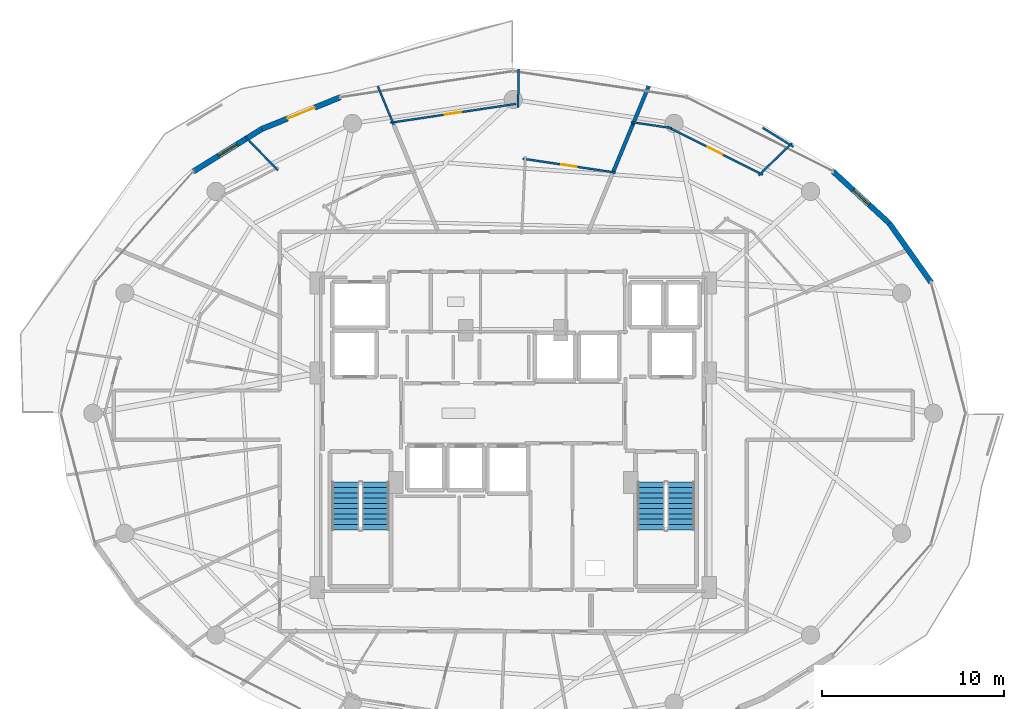
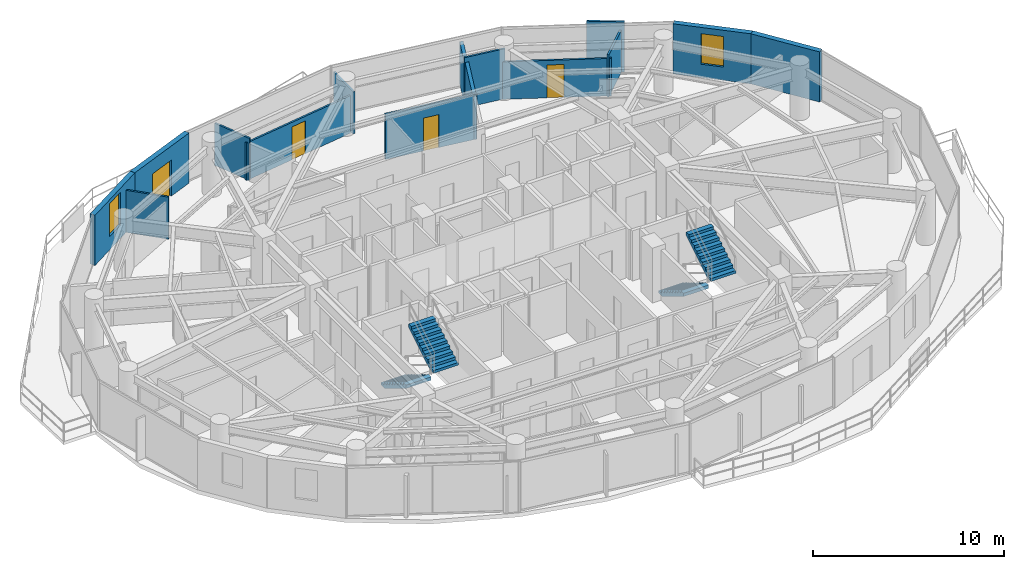
# One storey, part 25 of 29: 15 walls, 4 doors, 4 stair flights, 2 windows, 6 openings, 2 elements without a shape of their own.
"""IFC4 building model written with IfcOpenShell, lengths in metres."""

from ifc_helpers import new_model, si_unit, direction, frame, frame_2d, origin, place, context, subcontext, project, spatial, polyline, rectangle, outline, extrude, material, layer, layer_set, type_object, element, fill, aggregate, save


model = new_model("IFC4")

# Units and contexts
model_context = context("Model", 3, precision=1e-05, world=origin(), true_north=direction((0.0, 1.0)))
body_context = subcontext(model_context, "Body", "Model", "MODEL_VIEW")
ifc_project = project(units=[si_unit("LENGTHUNIT", "METRE"), si_unit("AREAUNIT", "SQUARE_METRE"), si_unit("VOLUMEUNIT", "CUBIC_METRE"), si_unit("PLANEANGLEUNIT", "RADIAN"), si_unit("MASSUNIT", "GRAM", prefix="KILO")], contexts=[model_context])

# Site, building, storey
site_placement = place(None, origin())
site = spatial("IfcSite", under=ifc_project, at=site_placement, CompositionType="ELEMENT")
building_placement = place(site_placement, origin())
building = spatial("IfcBuilding", under=site, at=building_placement, Name="Vorneva Point Tower", CompositionType="ELEMENT")
storey_placement = place(building_placement, frame((0.0, 0.0, 171.10009765625)))
storey = spatial("IfcBuildingStorey", under=building, at=storey_placement, Name="L46", CompositionType="ELEMENT", Elevation=171.10009765625)

# Wall
ifc_material_1 = material(Name="Precast concrete B50 (C40/50)", Category="concrete")
ifc_layer_1 = layer(ifc_material_1, 0.300048828125)
ifc_layer_set_1 = layer_set([ifc_layer_1], Name="Precast concrete B50 (C40/50)")
wall_type_1 = type_object("IfcWallType", Name="WL-EXT-300", PredefinedType="STANDARD", material=ifc_layer_set_1)
wall_1_placement = place(storey_placement, frame((60.912109375, 33.17529296875, 0.0), z_axis=(0.0, 0.0, 1.0), x_axis=(-0.577269753207, 0.816553508371, 0.0)))
element("IfcWall", 1, at=wall_1_placement, inside=storey, type_object=wall_type_1, Name="L46 Pale-Metal Facade Spandrel Wall 02.1", PredefinedType="STANDARD", context=body_context, shape_type="SweptSolid", body=[
    extrude(rectangle(XDim=3.969970703125, YDim=0.300048828125, at=frame_2d((1.98486328125, 0.0))), origin(), (0.0, 0.0, 1.0), 3.199951171875),
])

# Wall, opening, window
wall_2_placement = place(storey_placement, frame((58.620361328125, 36.4169921875, 0.0), z_axis=(0.0, 0.0, 1.0), x_axis=(-0.735477154165, 0.677549522693, 0.0)))
wall_2 = element("IfcWall", 2, at=wall_2_placement, inside=storey, type_object=wall_type_1, Name="L46 Pale-Metal Facade Spandrel Wall 02.2", PredefinedType="STANDARD", context=body_context, shape_type="SweptSolid", body=[
    extrude(rectangle(XDim=4.193603515625, YDim=0.300048828125, at=frame_2d((2.0966796875, 0.0))), origin(), (0.0, 0.0, 1.0), 3.199951171875),
])
opening_1_placement = place(wall_2_placement, frame((1.496826171875, 0.0, 0.85009765625)))
opening_1 = element("IfcOpeningElement", 3, at=opening_1_placement, cuts=wall_2, Name="Opening W-04", PredefinedType="OPENING", context=body_context, shape_type="SweptSolid", body=[
    extrude(rectangle(XDim=1.199951171875, YDim=1.949951171875, at=frame_2d((0.60009765625, 0.97509765625))), frame((0.0, 0.1650390625, 0.0), z_axis=(0.0, -1.0, 0.0), x_axis=(1.0, 0.0, 0.0)), (0.0, 0.0, 1.0), 0.329833984375),
])
ifc_material_2 = material(Name="Double low-e laminated glass IGU", Category="glass")
window_type = type_object("IfcWindowType", Name="WN-RES-1200", PartitioningType="SINGLE_PANEL", PredefinedType="WINDOW", material=ifc_material_2)
window_1_placement = place(opening_1_placement, origin())
window_1 = element("IfcWindow", 4, at=window_1_placement, inside=storey, type_object=window_type, Name="L46 Dwelling Vision Window 01", OverallHeight=1.949951171875, OverallWidth=1.199951171875, PartitioningType="SINGLE_PANEL", PredefinedType="WINDOW", context=body_context, shape_type="SweptSolid", body=[
    extrude(rectangle(XDim=1.199951171875, YDim=1.949951171875, at=frame_2d((0.60009765625, 0.97509765625))), frame((0.0, 0.030029296875, 0.0), z_axis=(0.0, -1.0, 0.0), x_axis=(1.0, 0.0, 0.0)), (0.0, 0.0, 1.0), 0.06005859375),
])
fill(opening_1, window_1)

# Wall, opening, door
wall_3_placement = place(storey_placement, frame((28.509521484375, 43.32275390625, 0.0), z_axis=(0.0, 0.0, 1.0), x_axis=(-0.927156504392, -0.374674280359, 0.0)))
wall_3 = element("IfcWall", 5, at=wall_3_placement, inside=storey, type_object=wall_type_1, Name="L46 Pale-Metal Facade Spandrel Wall 06.1", PredefinedType="STANDARD", context=body_context, shape_type="SweptSolid", body=[
    extrude(rectangle(XDim=4.62451171875, YDim=0.300048828125, at=frame_2d((2.312255859375, 0.0))), origin(), (0.0, 0.0, 1.0), 3.199951171875),
])
opening_2_placement = place(wall_3_placement, frame((1.51220703125, 0.0, 0.0)))
opening_2 = element("IfcOpeningElement", 6, at=opening_2_placement, cuts=wall_3, Name="Opening BD-01", PredefinedType="OPENING", context=body_context, shape_type="SweptSolid", body=[
    extrude(rectangle(XDim=1.60009765625, YDim=2.300048828125, at=frame_2d((0.800048828125, 1.14990234375))), frame((0.0, 0.1650390625, 0.0), z_axis=(0.0, -1.0, 0.0), x_axis=(1.0, 0.0, 0.0)), (0.0, 0.0, 1.0), 0.329833984375),
])
ifc_material_3 = material(Name="Pale anodised aluminium", Category="aluminium")
door_type_1 = type_object("IfcDoorType", Name="DR-BAL-1600", OperationType="SLIDING_TO_LEFT", PredefinedType="DOOR", material=ifc_material_3)
door_1_placement = place(opening_2_placement, origin())
door_1 = element("IfcDoor", 7, at=door_1_placement, inside=storey, type_object=door_type_1, Name="L46 Balcony Terrace Access Door 06", OperationType="SLIDING_TO_LEFT", OverallHeight=2.300048828125, OverallWidth=1.60009765625, PredefinedType="DOOR", context=body_context, shape_type="SweptSolid", body=[
    extrude(rectangle(XDim=1.60009765625, YDim=2.300048828125, at=frame_2d((0.800048828125, 1.14990234375))), frame((0.0, 0.02490234375, 0.0), z_axis=(0.0, -1.0, 0.0), x_axis=(1.0, 0.0, 0.0)), (0.0, 0.0, 1.0), 0.050048828125),
])
fill(opening_2, door_1)

# Wall, opening, window
wall_4_placement = place(storey_placement, frame((24.221923828125, 41.590087890625, 0.0), z_axis=(0.0, 0.0, 1.0), x_axis=(-0.849721181976, -0.527232313977, 0.0)))
wall_4 = element("IfcWall", 8, at=wall_4_placement, inside=storey, type_object=wall_type_1, Name="L46 Pale-Metal Facade Spandrel Wall 06.2", PredefinedType="STANDARD", context=body_context, shape_type="SweptSolid", body=[
    extrude(rectangle(XDim=4.422607421875, YDim=0.300048828125, at=frame_2d((2.21142578125, 0.0))), origin(), (0.0, 0.0, 1.0), 3.199951171875),
])
opening_3_placement = place(wall_4_placement, frame((1.611328125, 0.0, 0.85009765625)))
opening_3 = element("IfcOpeningElement", 9, at=opening_3_placement, cuts=wall_4, Name="Opening W-04", PredefinedType="OPENING", context=body_context, shape_type="SweptSolid", body=[
    extrude(rectangle(XDim=1.199951171875, YDim=2.10009765625, at=frame_2d((0.60009765625, 1.050048828125))), frame((0.0, 0.1650390625, 0.0), z_axis=(0.0, -1.0, 0.0), x_axis=(1.0, 0.0, 0.0)), (0.0, 0.0, 1.0), 0.329833984375),
])
window_2_placement = place(opening_3_placement, origin())
window_2 = element("IfcWindow", 10, at=window_2_placement, inside=storey, type_object=window_type, Name="L46 Facade Window 06", OverallHeight=2.10009765625, OverallWidth=1.199951171875, PartitioningType="SINGLE_PANEL", PredefinedType="WINDOW", context=body_context, shape_type="SweptSolid", body=[
    extrude(rectangle(XDim=1.199951171875, YDim=2.10009765625, at=frame_2d((0.60009765625, 1.050048828125))), frame((0.0, 0.030029296875, 0.0), z_axis=(0.0, -1.0, 0.0), x_axis=(1.0, 0.0, 0.0)), (0.0, 0.0, 1.0), 0.06005859375),
])
fill(opening_3, window_2)

# Wall
ifc_material_4 = material(Name="Fire-rated acoustic gypsum stud partition", Category="gypsum")
ifc_layer_2 = layer(ifc_material_4, 0.110107421875)
ifc_layer_set_2 = layer_set([ifc_layer_2], Name="Fire-rated acoustic gypsum stud partition")
wall_type_2 = type_object("IfcWallType", Name="WL-PART-110", PredefinedType="PARTITIONING", material=ifc_layer_set_2)
wall_5_placement = place(storey_placement, frame((53.28564453125, 40.8125, 0.0), z_axis=(0.0, 0.0, 1.0), x_axis=(-0.718256654627, -0.69577825353, 0.0)))
element("IfcWall", 11, at=wall_5_placement, inside=storey, type_object=wall_type_2, Name="L46 Interior Partition 062", PredefinedType="PARTITIONING", context=body_context, shape_type="SweptSolid", body=[
    extrude(rectangle(XDim=2.55224609375, YDim=0.110107421875, at=frame_2d((1.276123046875, 0.0))), origin(), (0.0, 0.0, 1.0), 2.68798828125),
])

# Wall, opening, door
wall_6_placement = place(storey_placement, frame((51.677978515625, 39.07080078125, 0.0), z_axis=(0.0, 0.0, 1.0), x_axis=(-0.892519613246, 0.451008580818, 0.0)))
wall_6 = element("IfcWall", 12, at=wall_6_placement, inside=storey, type_object=wall_type_2, Name="L46 Interior Partition 063", PredefinedType="PARTITIONING", context=body_context, shape_type="SweptSolid", body=[
    extrude(rectangle(XDim=5.86083984375, YDim=0.110107421875, at=frame_2d((2.930419921875, 0.0))), origin(), (0.0, 0.0, 1.0), 2.391845703125),
])
opening_4_placement = place(wall_6_placement, frame((2.48046875, 0.0, 0.0)))
opening_4 = element("IfcOpeningElement", 13, at=opening_4_placement, cuts=wall_6, Name="Opening ID-01", PredefinedType="OPENING", context=body_context, shape_type="SweptSolid", body=[
    extrude(rectangle(XDim=0.89990234375, YDim=2.10009765625, at=frame_2d((0.449951171875, 1.050048828125))), frame((0.0, 0.06982421875, 0.0), z_axis=(0.0, -1.0, 0.0), x_axis=(1.0, 0.0, 0.0)), (0.0, 0.0, 1.0), 0.139892578125),
])
ifc_material_5 = material(Name="Engineered oak fire-rated door leaf", Category="wood")
door_type_2 = type_object("IfcDoorType", Name="DR-ROOM-900", OperationType="NOTDEFINED", PredefinedType="DOOR", material=ifc_material_5)
door_2_placement = place(opening_4_placement, origin())
door_2 = element("IfcDoor", 14, at=door_2_placement, inside=storey, type_object=door_type_2, Name="L46 Door Studio Apartment L46-01 / Kitchen L46-01", OperationType="SINGLE_SWING_LEFT", OverallHeight=2.10009765625, OverallWidth=0.89990234375, PredefinedType="DOOR", context=body_context, shape_type="SweptSolid", body=[
    extrude(rectangle(XDim=0.89990234375, YDim=2.10009765625, at=frame_2d((0.449951171875, 1.050048828125))), frame((0.0, 0.02490234375, 0.0), z_axis=(0.0, -1.0, 0.0), x_axis=(1.0, 0.0, 0.0)), (0.0, 0.0, 1.0), 0.050048828125),
])
fill(opening_4, door_2)

# Walls
wall_7_placement = place(storey_placement, frame((46.71044921875, 41.630126953125, 0.0), z_axis=(0.0, 0.0, 1.0), x_axis=(-0.988930827604, 0.14837728335, 0.0)))
element("IfcWall", 15, at=wall_7_placement, inside=storey, type_object=wall_type_2, Name="L46 Interior Partition 064", PredefinedType="PARTITIONING", context=body_context, shape_type="SweptSolid", body=[
    extrude(rectangle(XDim=2.26904296875, YDim=0.110107421875, at=frame_2d((1.134521484375, 0.0))), origin(), (0.0, 0.0, 1.0), 3.199951171875),
])
wall_8_placement = place(storey_placement, frame((53.35498046875, 40.610107421875, 0.0), z_axis=(0.0, 0.0, 1.0), x_axis=(-0.8493331579, 0.527857165237, 0.0)))
element("IfcWall", 16, at=wall_8_placement, inside=storey, type_object=wall_type_2, Name="L46 Interior Partition 065", PredefinedType="PARTITIONING", context=body_context, shape_type="SweptSolid", body=[
    extrude(rectangle(XDim=1.97900390625, YDim=0.110107421875, at=frame_2d((0.989501953125, 0.0))), origin(), (0.0, 0.0, 1.0), 3.199951171875),
])

# Wall, opening, door
wall_9_placement = place(storey_placement, frame((38.5185546875, 39.957763671875, 0.0), z_axis=(0.0, 0.0, 1.0), x_axis=(0.988887618714, -0.14866498429, 0.0)))
wall_9 = element("IfcWall", 17, at=wall_9_placement, inside=storey, type_object=wall_type_2, Name="L46 Interior Partition 071", PredefinedType="PARTITIONING", context=body_context, shape_type="SweptSolid", body=[
    extrude(rectangle(XDim=5.14990234375, YDim=0.110107421875, at=frame_2d((2.574951171875, 0.0))), origin(), (0.0, 0.0, 1.0), 2.888916015625),
])
opening_5_placement = place(wall_9_placement, frame((2.14990234375, 0.0, 0.0)))
opening_5 = element("IfcOpeningElement", 18, at=opening_5_placement, cuts=wall_9, Name="Opening ID-02", PredefinedType="OPENING", context=body_context, shape_type="SweptSolid", body=[
    extrude(rectangle(XDim=0.85009765625, YDim=2.10009765625, at=frame_2d((0.425048828125, 1.050048828125))), frame((0.0, 0.06982421875, 0.0), z_axis=(0.0, -1.0, 0.0), x_axis=(1.0, 0.0, 0.0)), (0.0, 0.0, 1.0), 0.139892578125),
])
door_type_3 = type_object("IfcDoorType", Name="DR-BATH-850", OperationType="NOTDEFINED", PredefinedType="DOOR", material=ifc_material_5)
door_3_placement = place(opening_5_placement, origin())
door_3 = element("IfcDoor", 19, at=door_3_placement, inside=storey, type_object=door_type_3, Name="L46 Door Studio Apartment L46-02 / Bathroom L46-02", OperationType="SINGLE_SWING_RIGHT", OverallHeight=2.10009765625, OverallWidth=0.85009765625, PredefinedType="DOOR", context=body_context, shape_type="SweptSolid", body=[
    extrude(rectangle(XDim=0.85009765625, YDim=2.10009765625, at=frame_2d((0.425048828125, 1.050048828125))), frame((0.0, 0.02490234375, 0.0), z_axis=(0.0, -1.0, 0.0), x_axis=(1.0, 0.0, 0.0)), (0.0, 0.0, 1.0), 0.050048828125),
])
fill(opening_5, door_3)

# Wall
wall_10_placement = place(storey_placement, frame((38.296142578125, 44.867919921875, 0.0), z_axis=(0.0, 0.0, 1.0), x_axis=(-0.015865503416, -0.99987413498, 0.0)))
element("IfcWall", 20, at=wall_10_placement, inside=storey, type_object=wall_type_2, Name="L46 Interior Partition 072", PredefinedType="PARTITIONING", context=body_context, shape_type="SweptSolid", body=[
    extrude(rectangle(XDim=2.108154296875, YDim=0.110107421875, at=frame_2d((1.05419921875, 0.0))), origin(), (0.0, 0.0, 1.0), 2.68798828125),
])

# Wall, opening, door
wall_11_placement = place(storey_placement, frame((38.138427734375, 42.960693359375, 0.0), z_axis=(0.0, 0.0, 1.0), x_axis=(-0.988870381513, -0.148779597275, 0.0)))
wall_11 = element("IfcWall", 21, at=wall_11_placement, inside=storey, type_object=wall_type_2, Name="L46 Interior Partition 073", PredefinedType="PARTITIONING", context=body_context, shape_type="SweptSolid", body=[
    extrude(rectangle(XDim=6.959228515625, YDim=0.110107421875, at=frame_2d((3.4794921875, 0.0))), origin(), (0.0, 0.0, 1.0), 2.391845703125),
])
opening_6_placement = place(wall_11_placement, frame((3.029541015625, 0.0, 0.0)))
opening_6 = element("IfcOpeningElement", 22, at=opening_6_placement, cuts=wall_11, Name="Opening ID-01", PredefinedType="OPENING", context=body_context, shape_type="SweptSolid", body=[
    extrude(rectangle(XDim=0.89990234375, YDim=2.10009765625, at=frame_2d((0.449951171875, 1.050048828125))), frame((0.0, 0.06982421875, 0.0), z_axis=(0.0, -1.0, 0.0), x_axis=(1.0, 0.0, 0.0)), (0.0, 0.0, 1.0), 0.139892578125),
])
door_4_placement = place(opening_6_placement, origin())
door_4 = element("IfcDoor", 23, at=door_4_placement, inside=storey, type_object=door_type_2, Name="L46 Door Studio Apartment L46-02 / Kitchen L46-02", OperationType="SINGLE_SWING_LEFT", OverallHeight=2.10009765625, OverallWidth=0.89990234375, PredefinedType="DOOR", context=body_context, shape_type="SweptSolid", body=[
    extrude(rectangle(XDim=0.89990234375, YDim=2.10009765625, at=frame_2d((0.449951171875, 1.050048828125))), frame((0.0, 0.02490234375, 0.0), z_axis=(0.0, -1.0, 0.0), x_axis=(1.0, 0.0, 0.0)), (0.0, 0.0, 1.0), 0.050048828125),
])
fill(opening_6, door_4)

# Walls
wall_12_placement = place(storey_placement, frame((31.448486328125, 41.816650390625, 0.0), z_axis=(0.0, 0.0, 1.0), x_axis=(-0.382755897173, 0.923849513276, 0.0)))
element("IfcWall", 24, at=wall_12_placement, inside=storey, type_object=wall_type_2, Name="L46 Interior Partition 074", PredefinedType="PARTITIONING", context=body_context, shape_type="SweptSolid", body=[
    extrude(rectangle(XDim=2.29443359375, YDim=0.110107421875, at=frame_2d((1.147216796875, 0.0))), origin(), (0.0, 0.0, 1.0), 2.68798828125),
])
wall_13_placement = place(storey_placement, frame((23.294677734375, 41.174560546875, 0.0), z_axis=(0.0, 0.0, 1.0), x_axis=(0.695951614491, -0.718088678568, 0.0)))
element("IfcWall", 25, at=wall_13_placement, inside=storey, type_object=wall_type_2, Name="L46 Interior Partition 079", PredefinedType="PARTITIONING", context=body_context, shape_type="SweptSolid", body=[
    extrude(rectangle(XDim=2.591796875, YDim=0.110107421875, at=frame_2d((1.2958984375, 0.0))), origin(), (0.0, 0.0, 1.0), 2.68798828125),
])
ifc_material_6 = material(Name="Autoclaved aerated concrete blockwork", Category="masonry")
ifc_layer_3 = layer(ifc_material_6, 0.199951171875)
ifc_layer_set_3 = layer_set([ifc_layer_3], Name="Autoclaved aerated concrete blockwork")
wall_type_3 = type_object("IfcWallType", Name="WL-PART-200", PredefinedType="PARTITIONING", material=ifc_layer_set_3)
wall_14_placement = place(storey_placement, frame((44.60498046875, 41.946044921875, 0.0), z_axis=(0.0, 0.0, 1.0), x_axis=(-0.382777783416, -0.923840445382, 0.0)))
element("IfcWall", 26, at=wall_14_placement, inside=storey, type_object=wall_type_3, Name="L46 Interior Partition 066", PredefinedType="PARTITIONING", context=body_context, shape_type="SweptSolid", body=[
    extrude(rectangle(XDim=3.02001953125, YDim=0.199951171875, at=frame_2d((1.510009765625, 0.0))), origin(), (0.0, 0.0, 1.0), 2.888916015625),
])
wall_15_placement = place(storey_placement, frame((45.4296875, 43.936279296875, 0.0), z_axis=(0.0, 0.0, 1.0), x_axis=(-0.382755897173, -0.923849513276, 0.0)))
element("IfcWall", 27, at=wall_15_placement, inside=storey, type_object=wall_type_3, Name="L46 Interior Partition 069", PredefinedType="PARTITIONING", context=body_context, shape_type="SweptSolid", body=[
    extrude(rectangle(XDim=2.29443359375, YDim=0.199951171875, at=frame_2d((1.147216796875, 0.0))), origin(), (0.0, 0.0, 1.0), 2.68798828125),
])

# Stair, stair flights
ifc_material_7 = material(Name="Concrete B50 (C40/50)", Category="concrete")
stair_type = type_object("IfcStairType", Name="ST-DOG-1500", PredefinedType="HALF_TURN_STAIR", material=ifc_material_7)
stair_1_placement = place(storey_placement, origin())
stair_1 = element("IfcStair", 28, at=stair_1_placement, inside=storey, type_object=stair_type, Name="L46 ST1", PredefinedType="HALF_TURN_STAIR")
stair_flight_type = type_object("IfcStairFlightType", Name="STF-1500", PredefinedType="STRAIGHT", material=ifc_material_7)
stair_flight_1_placement = place(storey_placement, frame((28.800048828125, 22.219970703125, 0.0), z_axis=(0.0, 0.0, 1.0), x_axis=(0.0, -1.0, 0.0)))
stair_flight_1 = element("IfcStairFlight", 29, at=stair_flight_1_placement, type_object=stair_flight_type, Name="ST1 flight 1", NumberOfRisers=10, NumberOfTreads=9, PredefinedType="STRAIGHT", RiserHeight=0.175, TreadLength=0.29, context=body_context, shape_type="SweptSolid", body=[
    extrude(outline(polyline([(0.0, 0.0), (0.0, 0.175048828125), (0.2900390625, 0.175048828125), (0.2900390625, 0.35009765625), (0.580078125, 0.35009765625), (0.580078125, 0.52490234375), (0.8701171875, 0.52490234375), (0.8701171875, 0.699951171875), (1.159912109375, 0.699951171875), (1.159912109375, 0.875), (1.449951171875, 0.875), (1.449951171875, 1.050048828125), (1.739990234375, 1.050048828125), (1.739990234375, 1.22509765625), (2.030029296875, 1.22509765625), (2.030029296875, 1.39990234375), (2.320068359375, 1.39990234375), (2.320068359375, 1.574951171875), (2.610107421875, 1.574951171875), (2.610107421875, 1.75), (2.610107421875, 1.36474609375), (0.34814453125, 0.0), (0.0, 0.0)])), frame((0.0, 0.75, 0.0), z_axis=(0.0, -1.0, 0.0), x_axis=(1.0, 0.0, 0.0)), (0.0, 0.0, 1.0), 1.5),
])
stair_flight_2_placement = place(storey_placement, frame((30.449951171875, 19.610107421875, 1.75), z_axis=(0.0, 0.0, 1.0), x_axis=(0.0, 1.0, 0.0)))
stair_flight_2 = element("IfcStairFlight", 30, at=stair_flight_2_placement, type_object=stair_flight_type, Name="ST1 flight 2", NumberOfRisers=10, NumberOfTreads=9, PredefinedType="STRAIGHT", RiserHeight=0.175, TreadLength=0.29, context=body_context, shape_type="SweptSolid", body=[
    extrude(outline(polyline([(0.0, 0.0), (0.0, 0.175048828125), (0.2900390625, 0.175048828125), (0.2900390625, 0.35009765625), (0.580078125, 0.35009765625), (0.580078125, 0.52490234375), (0.8701171875, 0.52490234375), (0.8701171875, 0.699951171875), (1.159912109375, 0.699951171875), (1.159912109375, 0.875), (1.449951171875, 0.875), (1.449951171875, 1.050048828125), (1.739990234375, 1.050048828125), (1.739990234375, 1.22509765625), (2.030029296875, 1.22509765625), (2.030029296875, 1.39990234375), (2.320068359375, 1.39990234375), (2.320068359375, 1.574951171875), (2.610107421875, 1.574951171875), (2.610107421875, 1.75), (2.610107421875, 1.36474609375), (0.34814453125, 0.0), (0.0, 0.0)])), frame((0.0, 0.75, 0.0), z_axis=(0.0, -1.0, 0.0), x_axis=(1.0, 0.0, 0.0)), (0.0, 0.0, 1.0), 1.5),
])
aggregate(stair_1, [stair_flight_1, stair_flight_2])

stair_2_placement = place(storey_placement, origin())
stair_2 = element("IfcStair", 31, at=stair_2_placement, inside=storey, type_object=stair_type, Name="L46 ST2", PredefinedType="HALF_TURN_STAIR")
stair_flight_3_placement = place(storey_placement, frame((45.550048828125, 22.219970703125, 0.0), z_axis=(0.0, 0.0, 1.0), x_axis=(0.0, -1.0, 0.0)))
stair_flight_3 = element("IfcStairFlight", 32, at=stair_flight_3_placement, type_object=stair_flight_type, Name="ST2 flight 1", NumberOfRisers=10, NumberOfTreads=9, PredefinedType="STRAIGHT", RiserHeight=0.175, TreadLength=0.29, context=body_context, shape_type="SweptSolid", body=[
    extrude(outline(polyline([(0.0, 0.0), (0.0, 0.175048828125), (0.2900390625, 0.175048828125), (0.2900390625, 0.35009765625), (0.580078125, 0.35009765625), (0.580078125, 0.52490234375), (0.8701171875, 0.52490234375), (0.8701171875, 0.699951171875), (1.159912109375, 0.699951171875), (1.159912109375, 0.875), (1.449951171875, 0.875), (1.449951171875, 1.050048828125), (1.739990234375, 1.050048828125), (1.739990234375, 1.22509765625), (2.030029296875, 1.22509765625), (2.030029296875, 1.39990234375), (2.320068359375, 1.39990234375), (2.320068359375, 1.574951171875), (2.610107421875, 1.574951171875), (2.610107421875, 1.75), (2.610107421875, 1.36474609375), (0.34814453125, 0.0), (0.0, 0.0)])), frame((0.0, 0.75, 0.0), z_axis=(0.0, -1.0, 0.0), x_axis=(1.0, 0.0, 0.0)), (0.0, 0.0, 1.0), 1.5),
])
stair_flight_4_placement = place(storey_placement, frame((47.199951171875, 19.610107421875, 1.75), z_axis=(0.0, 0.0, 1.0), x_axis=(0.0, 1.0, 0.0)))
stair_flight_4 = element("IfcStairFlight", 33, at=stair_flight_4_placement, type_object=stair_flight_type, Name="ST2 flight 2", NumberOfRisers=10, NumberOfTreads=9, PredefinedType="STRAIGHT", RiserHeight=0.175, TreadLength=0.29, context=body_context, shape_type="SweptSolid", body=[
    extrude(outline(polyline([(0.0, 0.0), (0.0, 0.175048828125), (0.2900390625, 0.175048828125), (0.2900390625, 0.35009765625), (0.580078125, 0.35009765625), (0.580078125, 0.52490234375), (0.8701171875, 0.52490234375), (0.8701171875, 0.699951171875), (1.159912109375, 0.699951171875), (1.159912109375, 0.875), (1.449951171875, 0.875), (1.449951171875, 1.050048828125), (1.739990234375, 1.050048828125), (1.739990234375, 1.22509765625), (2.030029296875, 1.22509765625), (2.030029296875, 1.39990234375), (2.320068359375, 1.39990234375), (2.320068359375, 1.574951171875), (2.610107421875, 1.574951171875), (2.610107421875, 1.75), (2.610107421875, 1.36474609375), (0.34814453125, 0.0), (0.0, 0.0)])), frame((0.0, 0.75, 0.0), z_axis=(0.0, -1.0, 0.0), x_axis=(1.0, 0.0, 0.0)), (0.0, 0.0, 1.0), 1.5),
])
aggregate(stair_2, [stair_flight_3, stair_flight_4])

save(model, "model.ifc")
